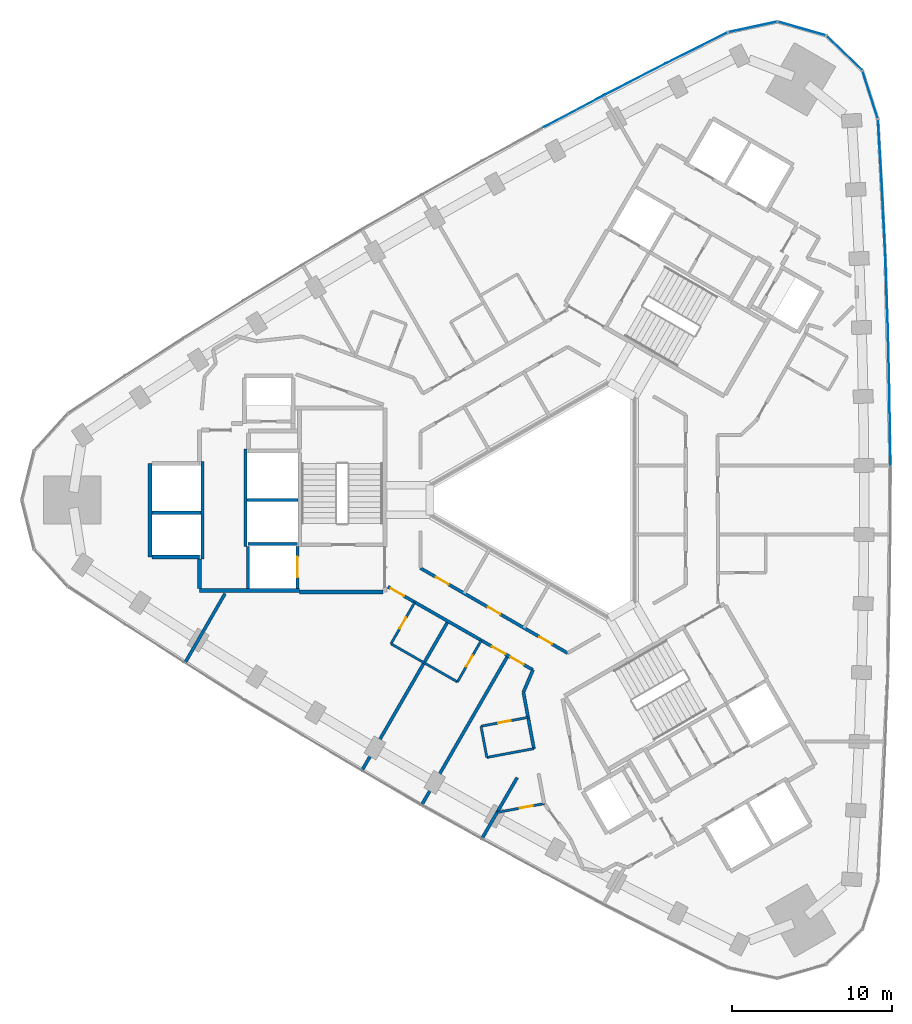
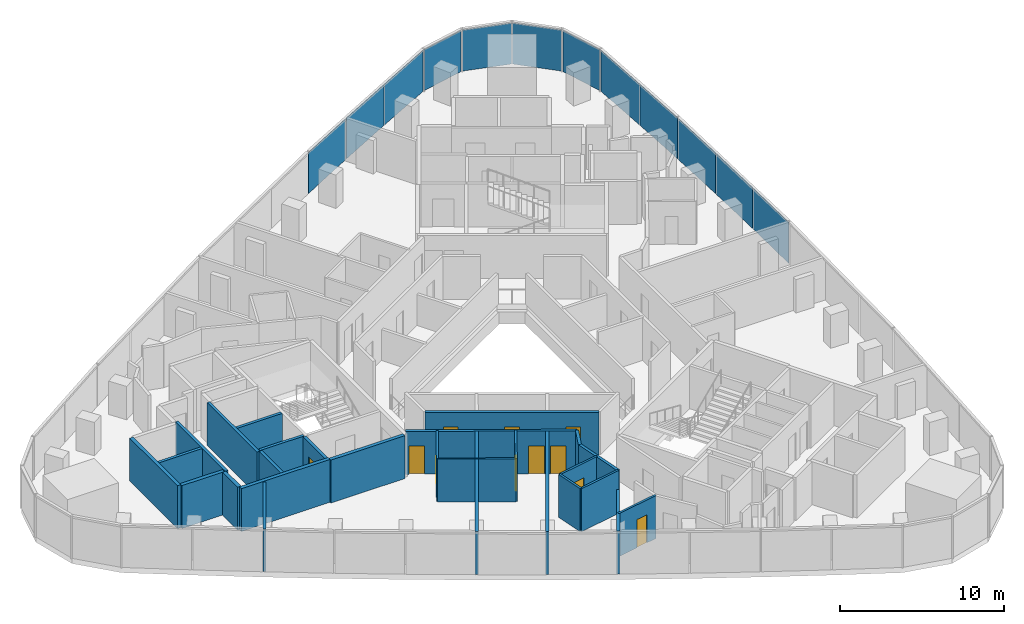
# One storey, part 7 of 13: 27 walls, 12 plates, 11 doors, 11 openings, 2 elements without a shape of their own.
"""IFC4 building model written with IfcOpenShell, lengths in metres."""

import ifcopenshell
import ifcopenshell.guid

model = None  # the IFC model being written
_history = None  # IfcOwnerHistory: only IFC2X3 demands one
_inside = {}  # id of a spatial element -> (the spatial element, [elements in it])
_under = {}  # id of a project, library or spatial element -> (it, [spatial elements below it])
_declared = {}  # id of a project -> (the project, [libraries it declares])
_typed = {}  # id of a type object -> (the type object, [elements of that type])
_made_of = {}  # id of a material, layer set ... -> (it, [elements and type objects made of it])


def new_model(schema):
    """Start an empty IFC model of exactly this schema.

    Asked for "IFC4X3", IfcOpenShell would pick the latest addendum, in which some entities
    have other attributes; the version numbers below select the first issue.
    IFC2X3 requires an IfcOwnerHistory on every rooted entity: one is made here for all.
    """
    global model, _history
    if schema == "IFC4X3":
        model = ifcopenshell.file(schema_version=(4, 3, 0, 0))
    else:
        model = ifcopenshell.file(schema=schema)
    _inside.clear()
    _under.clear()
    _declared.clear()
    _typed.clear()
    _made_of.clear()
    _history = None
    if model.schema == "IFC2X3":
        org = make("IfcOrganization", Name="unknown")
        user = make(
            "IfcPersonAndOrganization",
            ThePerson=make("IfcPerson", FamilyName="unknown"),
            TheOrganization=org,
        )
        app = make(
            "IfcApplication",
            ApplicationDeveloper=org,
            Version="unknown",
            ApplicationFullName="unknown",
            ApplicationIdentifier="unknown",
        )
        _history = make(
            "IfcOwnerHistory",
            OwningUser=user,
            OwningApplication=app,
            ChangeAction="ADDED",
            CreationDate=0,
        )
    return model


def make(cls, **values):
    """One entity of the class cls with the attributes given. An attribute that is None is left unset."""
    return model.create_entity(
        cls, **{name: value for name, value in values.items() if value is not None}
    )


def rooted(cls, **values):
    """An entity with a GlobalId (a new one), such as an element, a storey or a relation."""
    return make(cls, GlobalId=ifcopenshell.guid.new(), OwnerHistory=_history, **values)


def si_unit(unit_type, name, prefix=None):
    """IfcSIUnit, for example si_unit("LENGTHUNIT", "METRE", prefix="MILLI")."""
    return make("IfcSIUnit", UnitType=unit_type, Prefix=prefix, Name=name)


def assignment(units):
    """IfcUnitAssignment: the units of a project."""
    return None if units is None else make("IfcUnitAssignment", Units=units)


def point(xyz):
    """IfcCartesianPoint."""
    return None if xyz is None else make("IfcCartesianPoint", Coordinates=xyz)


def direction(xyz):
    """IfcDirection."""
    return None if xyz is None else make("IfcDirection", DirectionRatios=xyz)


def frame(location, z_axis=None, x_axis=None):
    """IfcAxis2Placement3D, a coordinate frame: its origin and axes. An axis left out is left unset."""
    return make(
        "IfcAxis2Placement3D",
        Location=point(location),
        Axis=direction(z_axis),
        RefDirection=direction(x_axis),
    )


def frame_2d(location, x_axis=None):
    """IfcAxis2Placement2D, a coordinate frame in the plane: its origin and x axis."""
    return make(
        "IfcAxis2Placement2D", Location=point(location), RefDirection=direction(x_axis)
    )


def origin():
    """The frame at (0, 0, 0) with its axes left unset."""
    return frame((0.0, 0.0, 0.0))


def origin_2d():
    """The frame at (0, 0) in the plane with its x axis left unset."""
    return frame_2d((0.0, 0.0))


def place(relative_to, where):
    """IfcLocalPlacement: puts the frame where relative to a parent placement (None: the world)."""
    return make(
        "IfcLocalPlacement", PlacementRelTo=relative_to, RelativePlacement=where
    )


def context(
    kind, dimensions, precision=None, world=None, true_north=None, identifier=None
):
    """IfcGeometricRepresentationContext, for example the 3D "Model" context."""
    return make(
        "IfcGeometricRepresentationContext",
        ContextIdentifier=identifier,
        ContextType=kind,
        CoordinateSpaceDimension=dimensions,
        Precision=precision,
        WorldCoordinateSystem=world,
        TrueNorth=true_north,
    )


def subcontext(parent, identifier, kind, view, scale=None):
    """IfcGeometricRepresentationSubContext, for example "Body" below "Model"."""
    return make(
        "IfcGeometricRepresentationSubContext",
        ContextIdentifier=identifier,
        ContextType=kind,
        ParentContext=parent,
        TargetScale=scale,
        TargetView=view,
    )


def project(units=None, contexts=None):
    """IfcProject with its units and contexts."""
    return rooted(
        "IfcProject",
        Name="project",
        RepresentationContexts=contexts,
        UnitsInContext=assignment(units),
    )


def spatial(cls, under=None, at=None, **own):
    """A site, building, storey or space (cls), placed at a placement, below another one or the project."""
    s = rooted(cls, ObjectPlacement=at, **own)
    if under is not None:
        _under.setdefault(under.id(), (under, []))[1].append(s)
    return s


def profile(cls, at=None, kind="AREA", **sizes):
    """A parametric profile (cls). Its sizes go by their IFC names, for example OverallWidth=200.0."""
    return make(cls, ProfileType=kind, Position=at, **sizes)


def rectangle(**sizes):
    """IfcRectangleProfileDef."""
    return profile("IfcRectangleProfileDef", **sizes)


def extrude(swept, where, along, depth):
    """IfcExtrudedAreaSolid: the profile swept, set in the frame where, extruded along a direction by depth."""
    return make(
        "IfcExtrudedAreaSolid",
        SweptArea=swept,
        Position=where,
        ExtrudedDirection=direction(along),
        Depth=depth,
    )


def shape(context_of_items, identifier, shape_type, items):
    """IfcShapeRepresentation: the items that make up one representation, for example the "Body"."""
    return make(
        "IfcShapeRepresentation",
        ContextOfItems=context_of_items,
        RepresentationIdentifier=identifier,
        RepresentationType=shape_type,
        Items=items,
    )


def material(Name=None, Category=None):
    """IfcMaterial."""
    return make("IfcMaterial", Name=Name, Category=Category)


def layer(
    of_material, thickness, ventilated=None, Name=None, Category=None, Priority=None
):
    """IfcMaterialLayer: one layer of a wall or slab, of a material (None: an air gap)."""
    return make(
        "IfcMaterialLayer",
        Material=of_material,
        LayerThickness=thickness,
        IsVentilated=ventilated,
        Name=Name,
        Category=Category,
        Priority=Priority,
    )


def layer_set(layers, Name=None):
    """IfcMaterialLayerSet."""
    return make("IfcMaterialLayerSet", MaterialLayers=layers, LayerSetName=Name)


def made_of(thing, what):
    """Note that an element or type object is made of a material, layer set ...; save() writes the relation."""
    if what is not None:
        _made_of.setdefault(what.id(), (what, []))[1].append(thing)
    return thing


def type_object(cls, material=None, **own):
    """A type object (cls), such as IfcWallType, which elements share."""
    return made_of(rooted(cls, **own), material)


def element(
    cls,
    number,
    at=None,
    inside=None,
    cuts=None,
    type_object=None,
    material=None,
    context=None,
    identifier="Body",
    shape_type=None,
    held_by="IfcProductDefinitionShape",
    body=None,
    shapes=None,
    **own,
):
    """One element of the class cls, such as IfcWall. Its Tag is "e" and its number.

    at: its placement. inside: the storey or other place that contains it. cuts: it is an
    opening in that element (IfcRelVoidsElement). A single representation is given by context,
    identifier, shape_type and body (its items); several are given by shapes. held_by: the class
    of the entity that holds the representations. save() writes the other relations.
    """
    e = rooted(cls, Tag="e%d" % number, ObjectPlacement=at, **own)
    if body is not None:
        shapes = [shape(context, identifier, shape_type, body)]
    if shapes is not None:
        e.Representation = make(held_by, Representations=shapes)
    if inside is not None:
        _inside.setdefault(inside.id(), (inside, []))[1].append(e)
    if cuts is not None:
        rooted(
            "IfcRelVoidsElement", RelatingBuildingElement=cuts, RelatedOpeningElement=e
        )
    if type_object is not None:
        _typed.setdefault(type_object.id(), (type_object, []))[1].append(e)
    return made_of(e, material)


def fill(opening, filler):
    """IfcRelFillsElement: the door or window that sits in an opening."""
    return rooted(
        "IfcRelFillsElement",
        RelatingOpeningElement=opening,
        RelatedBuildingElement=filler,
    )


def aggregate(whole, parts):
    """IfcRelAggregates: a whole, such as a stair, and the parts it consists of."""
    return rooted("IfcRelAggregates", RelatingObject=whole, RelatedObjects=parts)


def save(model, path):
    """Write the relations noted so far, then the file.

    IfcRelAggregates (storeys below a building ...), IfcRelContainedInSpatialStructure (elements
    in a storey), IfcRelDefinesByType, IfcRelAssociatesMaterial and IfcRelDeclares: one each for
    every whole, place, type object, material and project.
    """
    for whole, parts in _under.values():
        aggregate(whole, parts)
    for where, things in _inside.values():
        rooted(
            "IfcRelContainedInSpatialStructure",
            RelatedElements=things,
            RelatingStructure=where,
        )
    for kind, things in _typed.values():
        rooted("IfcRelDefinesByType", RelatedObjects=things, RelatingType=kind)
    for what, things in _made_of.values():
        rooted("IfcRelAssociatesMaterial", RelatedObjects=things, RelatingMaterial=what)
    for by, libraries in _declared.values():
        rooted("IfcRelDeclares", RelatingContext=by, RelatedDefinitions=libraries)
    model.write(path)


model = new_model("IFC4")

# Units and contexts
model_context = context("Model", 3, precision=1e-05, world=origin(), true_north=direction((0.0, 1.0)))
body_context = subcontext(model_context, "Body", "Model", "MODEL_VIEW")
ifc_project = project(units=[si_unit("LENGTHUNIT", "METRE"), si_unit("AREAUNIT", "SQUARE_METRE"), si_unit("VOLUMEUNIT", "CUBIC_METRE"), si_unit("PLANEANGLEUNIT", "RADIAN"), si_unit("MASSUNIT", "GRAM", prefix="KILO")], contexts=[model_context])

# Site, building, storey
site_placement = place(None, origin())
site = spatial("IfcSite", under=ifc_project, at=site_placement, CompositionType="ELEMENT")
building_placement = place(site_placement, origin())
building = spatial("IfcBuilding", under=site, at=building_placement, Name="Tamra Quay Hotel Tower", CompositionType="ELEMENT")
storey_placement = place(building_placement, frame((0.0, 0.0, 161.199951171875)))
storey = spatial("IfcBuildingStorey", under=building, at=storey_placement, Name="L40", CompositionType="ELEMENT", Elevation=161.199951171875)

# Curtain wall, plates
ifc_material_1 = material(Name="Aluminium 6063 anodised dark grey", Category="aluminium")
curtain_wall_type_1 = type_object("IfcCurtainWallType", Name="CW1 CURTAIN WALL", PredefinedType="NOTDEFINED", material=ifc_material_1)
curtain_wall_1_placement = place(storey_placement, origin())
curtain_wall_1 = element("IfcCurtainWall", 1, at=curtain_wall_1_placement, inside=storey, type_object=curtain_wall_type_1, Name="CW1 east face L40", PredefinedType="NOTDEFINED")
ifc_material_2 = material(Name="Glass clear laminated low-iron", Category="glass")
ifc_layer_1 = layer(ifc_material_2, 0.031982421875)
ifc_layer_set_1 = layer_set([ifc_layer_1], Name="GLASS PANEL CW1 Z3")
plate_type_1 = type_object("IfcPlateType", Name="GLASS PANEL CW1 Z3", PredefinedType="CURTAIN_PANEL", material=ifc_layer_set_1)
plate_1_placement = place(storey_placement, frame((20.793701171875, 4.342041015625, 0.0), z_axis=(0.0, 0.0, 1.0), x_axis=(-0.011957026787, 0.9999285122, 0.0)))
plate_1 = element("IfcPlate", 2, at=plate_1_placement, type_object=plate_type_1, Name="CW1 glass L40.E.7", PredefinedType="CURTAIN_PANEL", context=body_context, shape_type="SweptSolid", body=[
    extrude(rectangle(XDim=4.24169921875, YDim=0.031982421875, at=origin_2d()), origin(), (0.0, 0.0, 1.0), 3.06005859375),
])
plate_2_placement = place(storey_placement, frame((20.716064453125, 8.683349609375, 0.0), z_axis=(0.0, 0.0, 1.0), x_axis=(-0.023896183128, 0.999714445445, 0.0)))
plate_2 = element("IfcPlate", 3, at=plate_2_placement, type_object=plate_type_1, Name="CW1 glass L40.E.8", PredefinedType="CURTAIN_PANEL", context=body_context, shape_type="SweptSolid", body=[
    extrude(rectangle(XDim=4.24267578125, YDim=0.031982421875, at=origin_2d()), origin(), (0.0, 0.0, 1.0), 3.06005859375),
])
plate_3_placement = place(storey_placement, frame((20.586181640625, 13.02392578125, 0.0), z_axis=(0.0, 0.0, 1.0), x_axis=(-0.03584493651, 0.999357363773, 0.0)))
plate_3 = element("IfcPlate", 4, at=plate_3_placement, type_object=plate_type_1, Name="CW1 glass L40.E.9", PredefinedType="CURTAIN_PANEL", context=body_context, shape_type="SweptSolid", body=[
    extrude(rectangle(XDim=4.24267578125, YDim=0.031982421875, at=origin_2d()), origin(), (0.0, 0.0, 1.0), 3.06005859375),
])
plate_4_placement = place(storey_placement, frame((20.40478515625, 17.3623046875, 0.0), z_axis=(0.0, 0.0, 1.0), x_axis=(-0.04774710654, 0.998859456489, 0.0)))
plate_4 = element("IfcPlate", 5, at=plate_4_placement, type_object=plate_type_1, Name="CW1 glass L40.E.10", PredefinedType="CURTAIN_PANEL", context=body_context, shape_type="SweptSolid", body=[
    extrude(rectangle(XDim=4.24169921875, YDim=0.031982421875, at=origin_2d()), origin(), (0.0, 0.0, 1.0), 3.06005859375),
])
plate_5_placement = place(storey_placement, frame((20.171630859375, 21.697998046875, 0.0), z_axis=(0.0, 0.0, 1.0), x_axis=(-0.05964191564, 0.998219836458, 0.0)))
plate_5 = element("IfcPlate", 6, at=plate_5_placement, type_object=plate_type_1, Name="CW1 glass L40.E.11", PredefinedType="CURTAIN_PANEL", context=body_context, shape_type="SweptSolid", body=[
    extrude(rectangle(XDim=4.2421875, YDim=0.031982421875, at=origin_2d()), origin(), (0.0, 0.0, 1.0), 3.06005859375),
])
plate_6_placement = place(storey_placement, frame((19.55712890625, 25.374267578125, 0.0), z_axis=(0.0, 0.0, 1.0), x_axis=(-0.305914777883, 0.952058899792, 0.0)))
plate_6 = element("IfcPlate", 7, at=plate_6_placement, type_object=plate_type_1, Name="CW1 glass L40.E.12", PredefinedType="CURTAIN_PANEL", context=body_context, shape_type="SweptSolid", body=[
    extrude(rectangle(XDim=3.0703125, YDim=0.031982421875, at=origin_2d()), origin(), (0.0, 0.0, 1.0), 3.06005859375),
])
plate_7_placement = place(storey_placement, frame((17.93310546875, 27.98583984375, 0.0), z_axis=(0.0, 0.0, 1.0), x_axis=(-0.718584480635, 0.695439676888, 0.0)))
plate_7 = element("IfcPlate", 8, at=plate_7_placement, type_object=plate_type_1, Name="CW1 glass L40.E.13", PredefinedType="CURTAIN_PANEL", context=body_context, shape_type="SweptSolid", body=[
    extrude(rectangle(XDim=3.0703125, YDim=0.031982421875, at=origin_2d()), origin(), (0.0, 0.0, 1.0), 3.06005859375),
])
plate_8_placement = place(storey_placement, frame((15.269775390625, 29.5234375, 0.0), z_axis=(0.0, 0.0, 1.0), x_axis=(-0.961560667302, 0.274592576551, 0.0)))
plate_8 = element("IfcPlate", 9, at=plate_8_placement, type_object=plate_type_1, Name="CW1 glass L40.E.14", PredefinedType="CURTAIN_PANEL", context=body_context, shape_type="SweptSolid", body=[
    extrude(rectangle(XDim=3.0703125, YDim=0.031982421875, at=origin_2d()), origin(), (0.0, 0.0, 1.0), 3.06005859375),
])
plate_9_placement = place(storey_placement, frame((12.196044921875, 29.624267578125, 0.0), z_axis=(0.0, 0.0, 1.0), x_axis=(-0.97746458206, -0.211099480856, 0.0)))
plate_9 = element("IfcPlate", 10, at=plate_9_placement, type_object=plate_type_1, Name="CW1 glass L40.E.15", PredefinedType="CURTAIN_PANEL", context=body_context, shape_type="SweptSolid", body=[
    extrude(rectangle(XDim=3.0703125, YDim=0.031982421875, at=origin_2d()), origin(), (0.0, 0.0, 1.0), 3.06005859375),
])
aggregate(curtain_wall_1, [plate_1, plate_2, plate_3, plate_4, plate_5, plate_6, plate_7, plate_8, plate_9])

curtain_wall_type_2 = type_object("IfcCurtainWallType", Name="CW2 CURTAIN WALL", PredefinedType="NOTDEFINED", material=ifc_material_1)
curtain_wall_2_placement = place(storey_placement, origin())
curtain_wall_2 = element("IfcCurtainWall", 11, at=curtain_wall_2_placement, inside=storey, type_object=curtain_wall_type_2, Name="CW2 north-west face L40", PredefinedType="NOTDEFINED")
ifc_layer_2 = layer(ifc_material_2, 0.031982421875)
ifc_layer_set_2 = layer_set([ifc_layer_2], Name="GLASS PANEL CW2 Z3")
plate_type_2 = type_object("IfcPlateType", Name="GLASS PANEL CW2 Z3", PredefinedType="CURTAIN_PANEL", material=ifc_layer_set_2)
plate_10_placement = place(storey_placement, frame((8.705078125, 28.318115234375, 0.0), z_axis=(0.0, 0.0, 1.0), x_axis=(-0.894304694754, -0.447458504155, 0.0)))
plate_10 = element("IfcPlate", 12, at=plate_10_placement, type_object=plate_type_2, Name="CW2 glass L40.NW.1", PredefinedType="CURTAIN_PANEL", context=body_context, shape_type="SweptSolid", body=[
    extrude(rectangle(XDim=4.2421875, YDim=0.031982421875, at=origin_2d()), origin(), (0.0, 0.0, 1.0), 3.06005859375),
])
plate_11_placement = place(storey_placement, frame((4.833740234375, 26.352294921875, 0.0), z_axis=(0.0, 0.0, 1.0), x_axis=(-0.8889112174, -0.458079521023, 0.0)))
plate_11 = element("IfcPlate", 13, at=plate_11_placement, type_object=plate_type_2, Name="CW2 glass L40.NW.2", PredefinedType="CURTAIN_PANEL", context=body_context, shape_type="SweptSolid", body=[
    extrude(rectangle(XDim=4.24169921875, YDim=0.031982421875, at=origin_2d()), origin(), (0.0, 0.0, 1.0), 3.06005859375),
])
plate_12_placement = place(storey_placement, frame((0.986083984375, 24.34033203125, 0.0), z_axis=(0.0, 0.0, 1.0), x_axis=(-0.883391332741, -0.468636056272, 0.0)))
plate_12 = element("IfcPlate", 14, at=plate_12_placement, type_object=plate_type_2, Name="CW2 glass L40.NW.3", PredefinedType="CURTAIN_PANEL", context=body_context, shape_type="SweptSolid", body=[
    extrude(rectangle(XDim=4.24267578125, YDim=0.031982421875, at=origin_2d()), origin(), (0.0, 0.0, 1.0), 3.06005859375),
])
aggregate(curtain_wall_2, [plate_10, plate_11, plate_12])

# Walls
ifc_material_3 = material(Name="Concrete M70", Category="concrete")
ifc_layer_3 = layer(ifc_material_3, 0.199951171875)
ifc_layer_set_3 = layer_set([ifc_layer_3], Name="Concrete M70 core wall 200")
wall_type_1 = type_object("IfcWallType", Name="Concrete M70 core wall 200", PredefinedType="SHEAR", material=ifc_layer_set_3)
for number, where, z_axis, x_axis, name in (
    (15, (-19.5625, -2.900146484375, 0.0), (0.0, 0.0, 1.0), (0.0, 1.0, 0.0), "CW2"),
    (16, (-22.26220703125, 2.400146484375, 0.0), (0.0, 0.0, 1.0), (0.0, -1.0, 0.0), "CW2"),
):
    element("IfcWall", number, at=place(storey_placement, frame(where, z_axis=z_axis, x_axis=x_axis)), inside=storey, type_object=wall_type_1, Name=name, PredefinedType="SHEAR", context=body_context, shape_type="SweptSolid", body=[
        extrude(rectangle(XDim=6.100341796875, YDim=0.199951171875, at=frame_2d((3.05029296875, 0.0))), origin(), (0.0, 0.0, 1.0), 3.199951171875),
    ])
wall_1_placement = place(storey_placement, frame((-16.26318359375, 0.0, 0.0), z_axis=(0.0, 0.0, 1.0), x_axis=(-1.0, 0.0, 0.0)))
element("IfcWall", 17, at=wall_1_placement, inside=storey, type_object=wall_type_1, Name="CW2", PredefinedType="SHEAR", context=body_context, shape_type="SweptSolid", body=[
    extrude(rectangle(XDim=3.1982421875, YDim=0.199951171875, at=frame_2d((1.59912109375, 0.0))), origin(), (0.0, 0.0, 1.0), 3.199951171875),
])
wall_2_placement = place(storey_placement, frame((-22.36328125, -0.800048828125, 0.0), z_axis=(0.0, 0.0, 1.0), x_axis=(-1.0, 0.0, 0.0)))
element("IfcWall", 18, at=wall_2_placement, inside=storey, type_object=wall_type_1, Name="CW2", PredefinedType="SHEAR", context=body_context, shape_type="SweptSolid", body=[
    extrude(rectangle(XDim=3.048095703125, YDim=0.199951171875, at=frame_2d((1.52392578125, 0.0))), origin(), (0.0, 0.0, 1.0), 3.199951171875),
])
wall_3_placement = place(storey_placement, frame((-19.412353515625, -2.75, 0.0), z_axis=(0.0, 0.0, 1.0), x_axis=(1.0, 0.0, 0.0)))
element("IfcWall", 19, at=wall_3_placement, inside=storey, type_object=wall_type_1, Name="CW2", PredefinedType="SHEAR", context=body_context, shape_type="SweptSolid", body=[
    extrude(rectangle(XDim=3.10009765625, YDim=0.199951171875, at=frame_2d((1.550048828125, 0.0))), origin(), (0.0, 0.0, 1.0), 3.199951171875),
])

# Wall, opening, door
wall_4_placement = place(storey_placement, frame((-16.312255859375, -2.898193359375, 0.0), z_axis=(0.0, 0.0, 1.0), x_axis=(0.0, -1.0, 0.0)))
wall_4 = element("IfcWall", 20, at=wall_4_placement, inside=storey, type_object=wall_type_1, Name="CW2", PredefinedType="SHEAR", context=body_context, shape_type="SweptSolid", body=[
    extrude(rectangle(XDim=2.65087890625, YDim=0.199951171875, at=frame_2d((1.325439453125, 0.0))), origin(), (0.0, 0.0, 1.0), 3.199951171875),
])
opening_1_placement = place(wall_4_placement, frame((0.65185546875, 0.0, 0.0)))
opening_1 = element("IfcOpeningElement", 21, at=opening_1_placement, cuts=wall_4, Name="Opening LD", PredefinedType="OPENING", context=body_context, shape_type="SweptSolid", body=[
    extrude(rectangle(XDim=1.300048828125, YDim=2.10009765625, at=frame_2d((0.64990234375, 1.050048828125))), frame((0.0, 0.10986328125, 0.0), z_axis=(0.0, -1.0, 0.0), x_axis=(1.0, 0.0, 0.0)), (0.0, 0.0, 1.0), 0.219970703125),
])
ifc_material_4 = material(Name="Landing door LD 1300 sliding to left")
door_type_1 = type_object("IfcDoorType", Name="Landing door LD 1300 sliding to left", OperationType="NOTDEFINED", PredefinedType="DOOR", material=ifc_material_4)
door_1_placement = place(opening_1_placement, origin())
door_1 = element("IfcDoor", 22, at=door_1_placement, inside=storey, type_object=door_type_1, Name="LD", OperationType="SLIDING_TO_LEFT", OverallHeight=2.10009765625, OverallWidth=1.300048828125, PredefinedType="DOOR", context=body_context, shape_type="SweptSolid", body=[
    extrude(rectangle(XDim=1.300048828125, YDim=2.10009765625, at=frame_2d((0.64990234375, 1.050048828125))), frame((0.0, 0.02490234375, 0.0), z_axis=(0.0, -1.0, 0.0), x_axis=(1.0, 0.0, 0.0)), (0.0, 0.0, 1.0), 0.050048828125),
])
fill(opening_1, door_1)

# Walls
wall_5_placement = place(storey_placement, frame((-19.412353515625, -5.549072265625, 0.0), z_axis=(0.0, 0.0, 1.0), x_axis=(0.0, 1.0, 0.0)))
element("IfcWall", 23, at=wall_5_placement, inside=storey, type_object=wall_type_1, Name="CW2", PredefinedType="SHEAR", context=body_context, shape_type="SweptSolid", body=[
    extrude(rectangle(XDim=2.65087890625, YDim=0.199951171875, at=frame_2d((1.325439453125, 0.0))), origin(), (0.0, 0.0, 1.0), 3.199951171875),
])
ifc_layer_4 = layer(ifc_material_3, 0.25)
ifc_layer_set_4 = layer_set([ifc_layer_4], Name="Concrete M70 core wall 250")
wall_type_2 = type_object("IfcWallType", Name="Concrete M70 core wall 250", PredefinedType="SHEAR", material=ifc_layer_set_4)
wall_6_placement = place(storey_placement, frame((-16.187255859375, -5.675048828125, 0.0), z_axis=(0.0, 0.0, 1.0), x_axis=(-1.0, 0.0, 0.0)))
element("IfcWall", 24, at=wall_6_placement, inside=storey, type_object=wall_type_2, Name="CW1", PredefinedType="SHEAR", context=body_context, shape_type="SweptSolid", body=[
    extrude(rectangle(XDim=6.25, YDim=0.25, at=frame_2d((3.125, 0.0))), origin(), (0.0, 0.0, 1.0), 3.199951171875),
])
wall_7_placement = place(storey_placement, frame((-25.537353515625, -3.574951171875, 0.0), z_axis=(0.0, 0.0, 1.0), x_axis=(0.0, 1.0, 0.0)))
element("IfcWall", 25, at=wall_7_placement, inside=storey, type_object=wall_type_2, Name="CW1", PredefinedType="SHEAR", context=body_context, shape_type="SweptSolid", body=[
    extrude(rectangle(XDim=5.849853515625, YDim=0.25, at=frame_2d((2.9248046875, 0.0))), origin(), (0.0, 0.0, 1.0), 3.199951171875),
])
wall_8_placement = place(storey_placement, frame((-10.962646484375, -5.77490234375, 0.0), z_axis=(0.0, 0.0, 1.0), x_axis=(-1.0, 0.0, 0.0)))
element("IfcWall", 26, at=wall_8_placement, inside=storey, type_object=wall_type_2, Name="CW1", PredefinedType="SHEAR", context=body_context, shape_type="SweptSolid", body=[
    extrude(rectangle(XDim=5.224609375, YDim=0.25, at=frame_2d((2.6123046875, 0.0))), origin(), (0.0, 0.0, 1.0), 3.199951171875),
])
wall_9_placement = place(storey_placement, frame((-22.437255859375, -3.574951171875, 0.0), z_axis=(0.0, 0.0, 1.0), x_axis=(-1.0, 0.0, 0.0)))
element("IfcWall", 27, at=wall_9_placement, inside=storey, type_object=wall_type_2, Name="CW1", PredefinedType="SHEAR", context=body_context, shape_type="SweptSolid", body=[
    extrude(rectangle(XDim=2.974609375, YDim=0.25, at=frame_2d((1.4873046875, 0.0))), origin(), (0.0, 0.0, 1.0), 3.199951171875),
])
wall_10_placement = place(storey_placement, frame((-22.437255859375, -5.549560546875, 0.0), z_axis=(0.0, 0.0, 1.0), x_axis=(0.0, 1.0, 0.0)))
element("IfcWall", 28, at=wall_10_placement, inside=storey, type_object=wall_type_2, Name="CW1", PredefinedType="SHEAR", context=body_context, shape_type="SweptSolid", body=[
    extrude(rectangle(XDim=1.84912109375, YDim=0.25, at=frame_2d((0.924560546875, 0.0))), origin(), (0.0, 0.0, 1.0), 3.199951171875),
])

# Wall, openings, doors
ifc_material_5 = material(Name="Partition corridor wall")
ifc_layer_5 = layer(ifc_material_5, 0.199951171875)
ifc_layer_set_5 = layer_set([ifc_layer_5], Name="Partition corridor wall")
wall_type_3 = type_object("IfcWallType", Name="Partition corridor wall", PredefinedType="PARTITIONING", material=ifc_layer_set_5)
wall_11_placement = place(storey_placement, frame((-10.64208984375, -5.43994140625, 0.0), z_axis=(0.0, 0.0, 1.0), x_axis=(0.867610688994, -0.497244097344, 0.0)))
wall_11 = element("IfcWall", 29, at=wall_11_placement, inside=storey, type_object=wall_type_3, Name="W-C", PredefinedType="PARTITIONING", context=body_context, shape_type="SweptSolid", body=[
    extrude(rectangle(XDim=10.4638671875, YDim=0.199951171875, at=frame_2d((5.23193359375, 0.0))), origin(), (0.0, 0.0, 1.0), 3.199951171875),
])
opening_2_placement = place(wall_11_placement, frame((0.199951171875, 0.0, 0.0)))
opening_2 = element("IfcOpeningElement", 30, at=opening_2_placement, cuts=wall_11, Name="Opening L40-D014", PredefinedType="OPENING", context=body_context, shape_type="SweptSolid", body=[
    extrude(rectangle(XDim=0.949951171875, YDim=2.10009765625, at=frame_2d((0.47509765625, 1.050048828125))), frame((0.0, 0.10986328125, 0.0), z_axis=(0.0, -1.0, 0.0), x_axis=(1.0, 0.0, 0.0)), (0.0, 0.0, 1.0), 0.219970703125),
])
opening_3_placement = place(wall_11_placement, frame((7.519287109375, 0.0, 0.0)))
opening_3 = element("IfcOpeningElement", 31, at=opening_3_placement, cuts=wall_11, Name="Opening L40-D016", PredefinedType="OPENING", context=body_context, shape_type="SweptSolid", body=[
    extrude(rectangle(XDim=0.949951171875, YDim=2.10009765625, at=frame_2d((0.47509765625, 1.050048828125))), frame((0.0, 0.10986328125, 0.0), z_axis=(0.0, -1.0, 0.0), x_axis=(1.0, 0.0, 0.0)), (0.0, 0.0, 1.0), 0.219970703125),
])
opening_4_placement = place(wall_11_placement, frame((8.84619140625, 0.0, 0.0)))
opening_4 = element("IfcOpeningElement", 32, at=opening_4_placement, cuts=wall_11, Name="Opening L40-D018", PredefinedType="OPENING", context=body_context, shape_type="SweptSolid", body=[
    extrude(rectangle(XDim=0.949951171875, YDim=2.10009765625, at=frame_2d((0.47509765625, 1.050048828125))), frame((0.0, 0.10986328125, 0.0), z_axis=(0.0, -1.0, 0.0), x_axis=(1.0, 0.0, 0.0)), (0.0, 0.0, 1.0), 0.219970703125),
])
ifc_material_6 = material(Name="Door guest room 950x2100")
door_type_2 = type_object("IfcDoorType", Name="Door guest room 950x2100", OperationType="NOTDEFINED", PredefinedType="DOOR", material=ifc_material_6)
door_2_placement = place(opening_2_placement, frame((0.949951171875, 0.0, 0.0), z_axis=(0.0, 0.0, 1.0), x_axis=(-1.0, 0.0, 0.0)))
door_2 = element("IfcDoor", 33, at=door_2_placement, inside=storey, type_object=door_type_2, Name="L40-D014", OperationType="SINGLE_SWING_LEFT", OverallHeight=2.10009765625, OverallWidth=0.949951171875, PredefinedType="DOOR", context=body_context, shape_type="SweptSolid", body=[
    extrude(rectangle(XDim=0.949951171875, YDim=2.10009765625, at=frame_2d((0.47509765625, 1.050048828125))), frame((0.0, 0.02490234375, 0.0), z_axis=(0.0, -1.0, 0.0), x_axis=(1.0, 0.0, 0.0)), (0.0, 0.0, 1.0), 0.050048828125),
])
fill(opening_2, door_2)
door_3_placement = place(opening_3_placement, frame((0.949951171875, 0.0, 0.0), z_axis=(0.0, 0.0, 1.0), x_axis=(-1.0, 0.0, 0.0)))
door_3 = element("IfcDoor", 34, at=door_3_placement, inside=storey, type_object=door_type_2, Name="L40-D016", OperationType="SINGLE_SWING_LEFT", OverallHeight=2.10009765625, OverallWidth=0.949951171875, PredefinedType="DOOR", context=body_context, shape_type="SweptSolid", body=[
    extrude(rectangle(XDim=0.949951171875, YDim=2.10009765625, at=frame_2d((0.47509765625, 1.050048828125))), frame((0.0, 0.02490234375, 0.0), z_axis=(0.0, -1.0, 0.0), x_axis=(1.0, 0.0, 0.0)), (0.0, 0.0, 1.0), 0.050048828125),
])
fill(opening_3, door_3)
door_4_placement = place(opening_4_placement, frame((0.949951171875, 0.0, 0.0), z_axis=(0.0, 0.0, 1.0), x_axis=(-1.0, 0.0, 0.0)))
door_4 = element("IfcDoor", 35, at=door_4_placement, inside=storey, type_object=door_type_2, Name="L40-D018", OperationType="SINGLE_SWING_LEFT", OverallHeight=2.10009765625, OverallWidth=0.949951171875, PredefinedType="DOOR", context=body_context, shape_type="SweptSolid", body=[
    extrude(rectangle(XDim=0.949951171875, YDim=2.10009765625, at=frame_2d((0.47509765625, 1.050048828125))), frame((0.0, 0.02490234375, 0.0), z_axis=(0.0, -1.0, 0.0), x_axis=(1.0, 0.0, 0.0)), (0.0, 0.0, 1.0), 0.050048828125),
])
fill(opening_4, door_4)

wall_12_placement = place(storey_placement, frame((-8.612060546875, -4.264892578125, 0.0), z_axis=(0.0, 0.0, 1.0), x_axis=(0.865984415152, -0.500070987675, 0.0)))
wall_12 = element("IfcWall", 36, at=wall_12_placement, inside=storey, type_object=wall_type_3, Name="W-C", PredefinedType="PARTITIONING", context=body_context, shape_type="SweptSolid", body=[
    extrude(rectangle(XDim=10.6513671875, YDim=0.199951171875, at=frame_2d((5.32568359375, 0.0))), origin(), (0.0, 0.0, 1.0), 3.199951171875),
])
opening_5_placement = place(wall_12_placement, frame((1.1376953125, 0.0, 0.0)))
opening_5 = element("IfcOpeningElement", 37, at=opening_5_placement, cuts=wall_12, Name="Opening L40-D030", PredefinedType="OPENING", context=body_context, shape_type="SweptSolid", body=[
    extrude(rectangle(XDim=0.89990234375, YDim=2.10009765625, at=frame_2d((0.449951171875, 1.050048828125))), frame((0.0, 0.10986328125, 0.0), z_axis=(0.0, -1.0, 0.0), x_axis=(1.0, 0.0, 0.0)), (0.0, 0.0, 1.0), 0.219970703125),
])
opening_6_placement = place(wall_12_placement, frame((4.8759765625, 0.0, 0.0)))
opening_6 = element("IfcOpeningElement", 38, at=opening_6_placement, cuts=wall_12, Name="Opening L40-D031", PredefinedType="OPENING", context=body_context, shape_type="SweptSolid", body=[
    extrude(rectangle(XDim=0.89990234375, YDim=2.10009765625, at=frame_2d((0.449951171875, 1.050048828125))), frame((0.0, 0.10986328125, 0.0), z_axis=(0.0, -1.0, 0.0), x_axis=(1.0, 0.0, 0.0)), (0.0, 0.0, 1.0), 0.219970703125),
])
opening_7_placement = place(wall_12_placement, frame((8.61328125, 0.0, 0.0)))
opening_7 = element("IfcOpeningElement", 39, at=opening_7_placement, cuts=wall_12, Name="Opening L40-D032", PredefinedType="OPENING", context=body_context, shape_type="SweptSolid", body=[
    extrude(rectangle(XDim=0.89990234375, YDim=2.10009765625, at=frame_2d((0.449951171875, 1.050048828125))), frame((0.0, 0.10986328125, 0.0), z_axis=(0.0, -1.0, 0.0), x_axis=(1.0, 0.0, 0.0)), (0.0, 0.0, 1.0), 0.219970703125),
])
ifc_material_7 = material(Name="Door service room 900x2100")
door_type_3 = type_object("IfcDoorType", Name="Door service room 900x2100", OperationType="NOTDEFINED", PredefinedType="DOOR", material=ifc_material_7)
door_5_placement = place(opening_5_placement, origin())
door_5 = element("IfcDoor", 40, at=door_5_placement, inside=storey, type_object=door_type_3, Name="L40-D030", OperationType="SINGLE_SWING_LEFT", OverallHeight=2.10009765625, OverallWidth=0.89990234375, PredefinedType="DOOR", context=body_context, shape_type="SweptSolid", body=[
    extrude(rectangle(XDim=0.89990234375, YDim=2.10009765625, at=frame_2d((0.449951171875, 1.050048828125))), frame((0.0, 0.02490234375, 0.0), z_axis=(0.0, -1.0, 0.0), x_axis=(1.0, 0.0, 0.0)), (0.0, 0.0, 1.0), 0.050048828125),
])
fill(opening_5, door_5)
door_6_placement = place(opening_6_placement, origin())
door_6 = element("IfcDoor", 41, at=door_6_placement, inside=storey, type_object=door_type_3, Name="L40-D031", OperationType="SINGLE_SWING_LEFT", OverallHeight=2.10009765625, OverallWidth=0.89990234375, PredefinedType="DOOR", context=body_context, shape_type="SweptSolid", body=[
    extrude(rectangle(XDim=0.89990234375, YDim=2.10009765625, at=frame_2d((0.449951171875, 1.050048828125))), frame((0.0, 0.02490234375, 0.0), z_axis=(0.0, -1.0, 0.0), x_axis=(1.0, 0.0, 0.0)), (0.0, 0.0, 1.0), 0.050048828125),
])
fill(opening_6, door_6)
door_7_placement = place(opening_7_placement, origin())
door_7 = element("IfcDoor", 42, at=door_7_placement, inside=storey, type_object=door_type_3, Name="L40-D032", OperationType="SINGLE_SWING_LEFT", OverallHeight=2.10009765625, OverallWidth=0.89990234375, PredefinedType="DOOR", context=body_context, shape_type="SweptSolid", body=[
    extrude(rectangle(XDim=0.89990234375, YDim=2.10009765625, at=frame_2d((0.449951171875, 1.050048828125))), frame((0.0, 0.02490234375, 0.0), z_axis=(0.0, -1.0, 0.0), x_axis=(1.0, 0.0, 0.0)), (0.0, 0.0, 1.0), 0.050048828125),
])
fill(opening_7, door_7)

# Walls
wall_13_placement = place(storey_placement, frame((-2.162109375, -12.0419921875, 0.0), z_axis=(0.0, 0.0, 1.0), x_axis=(0.183572226488, -0.983006224631, 0.0)))
element("IfcWall", 43, at=wall_13_placement, inside=storey, type_object=wall_type_3, Name="W-C", PredefinedType="PARTITIONING", context=body_context, shape_type="SweptSolid", body=[
    extrude(rectangle(XDim=3.6015625, YDim=0.199951171875, at=frame_2d((1.80078125, 0.0))), origin(), (0.0, 0.0, 1.0), 3.199951171875),
])
wall_14_placement = place(storey_placement, frame((-2.162109375, -12.041015625, 0.0), z_axis=(0.0, 0.0, 1.0), x_axis=(0.393609042413, 0.919277934974, 0.0)))
element("IfcWall", 44, at=wall_14_placement, inside=storey, type_object=wall_type_3, Name="W-C", PredefinedType="PARTITIONING", context=body_context, shape_type="SweptSolid", body=[
    extrude(rectangle(XDim=1.51953125, YDim=0.199951171875, at=frame_2d((0.759765625, 0.0))), origin(), (0.0, 0.0, 1.0), 3.199951171875),
])

# Wall, opening, door
ifc_material_8 = material(Name="Partition en-suite wall")
ifc_layer_6 = layer(ifc_material_8, 0.14990234375)
ifc_layer_set_6 = layer_set([ifc_layer_6], Name="Partition en-suite wall")
wall_type_4 = type_object("IfcWallType", Name="Partition en-suite wall", PredefinedType="PARTITIONING", material=ifc_layer_set_6)
wall_15_placement = place(storey_placement, frame((-10.4541015625, -9.0029296875, 0.0), z_axis=(0.0, 0.0, 1.0), x_axis=(0.49740127306, 0.867520589703, 0.0)))
wall_15 = element("IfcWall", 45, at=wall_15_placement, inside=storey, type_object=wall_type_4, Name="W-E", PredefinedType="PARTITIONING", context=body_context, shape_type="SweptSolid", body=[
    extrude(rectangle(XDim=2.998046875, YDim=0.14990234375, at=frame_2d((1.4990234375, 0.0))), origin(), (0.0, 0.0, 1.0), 3.199951171875),
])
opening_8_placement = place(wall_15_placement, frame((1.097900390625, 0.0, 0.0)))
opening_8 = element("IfcOpeningElement", 46, at=opening_8_placement, cuts=wall_15, Name="Opening L40-D015", PredefinedType="OPENING", context=body_context, shape_type="SweptSolid", body=[
    extrude(rectangle(XDim=0.800048828125, YDim=2.10009765625, at=frame_2d((0.39990234375, 1.050048828125))), frame((0.0, 0.0849609375, 0.0), z_axis=(0.0, -1.0, 0.0), x_axis=(1.0, 0.0, 0.0)), (0.0, 0.0, 1.0), 0.169921875),
])
ifc_material_9 = material(Name="Door en-suite 800x2100")
door_type_4 = type_object("IfcDoorType", Name="Door en-suite 800x2100", OperationType="NOTDEFINED", PredefinedType="DOOR", material=ifc_material_9)
door_8_placement = place(opening_8_placement, origin())
door_8 = element("IfcDoor", 47, at=door_8_placement, inside=storey, type_object=door_type_4, Name="L40-D015", OperationType="SINGLE_SWING_LEFT", OverallHeight=2.10009765625, OverallWidth=0.800048828125, PredefinedType="DOOR", context=body_context, shape_type="SweptSolid", body=[
    extrude(rectangle(XDim=0.800048828125, YDim=2.10009765625, at=frame_2d((0.39990234375, 1.050048828125))), frame((0.0, 0.02490234375, 0.0), z_axis=(0.0, -1.0, 0.0), x_axis=(1.0, 0.0, 0.0)), (0.0, 0.0, 1.0), 0.050048828125),
])
fill(opening_8, door_8)

# Wall
wall_16_placement = place(storey_placement, frame((-10.452880859375, -9.006103515625, 0.0), z_axis=(0.0, 0.0, 1.0), x_axis=(0.86760039778, -0.49726205342, 0.0)))
element("IfcWall", 48, at=wall_16_placement, inside=storey, type_object=wall_type_4, Name="W-E", PredefinedType="PARTITIONING", context=body_context, shape_type="SweptSolid", body=[
    extrude(rectangle(XDim=4.79736328125, YDim=0.14990234375, at=frame_2d((2.398681640625, 0.0))), origin(), (0.0, 0.0, 1.0), 3.199951171875),
])

# Wall, opening, door
wall_17_placement = place(storey_placement, frame((-6.291015625, -11.39208984375, 0.0), z_axis=(0.0, 0.0, 1.0), x_axis=(0.497409432693, 0.867515911248, 0.0)))
wall_17 = element("IfcWall", 49, at=wall_17_placement, inside=storey, type_object=wall_type_4, Name="W-E", PredefinedType="PARTITIONING", context=body_context, shape_type="SweptSolid", body=[
    extrude(rectangle(XDim=2.99951171875, YDim=0.14990234375, at=frame_2d((1.499755859375, 0.0))), origin(), (0.0, 0.0, 1.0), 3.199951171875),
])
opening_9_placement = place(wall_17_placement, frame((1.099609375, 0.0, 0.0)))
opening_9 = element("IfcOpeningElement", 50, at=opening_9_placement, cuts=wall_17, Name="Opening L40-D017", PredefinedType="OPENING", context=body_context, shape_type="SweptSolid", body=[
    extrude(rectangle(XDim=0.800048828125, YDim=2.10009765625, at=frame_2d((0.39990234375, 1.050048828125))), frame((0.0, 0.0849609375, 0.0), z_axis=(0.0, -1.0, 0.0), x_axis=(1.0, 0.0, 0.0)), (0.0, 0.0, 1.0), 0.169921875),
])
door_9_placement = place(opening_9_placement, origin())
door_9 = element("IfcDoor", 51, at=door_9_placement, inside=storey, type_object=door_type_4, Name="L40-D017", OperationType="SINGLE_SWING_LEFT", OverallHeight=2.10009765625, OverallWidth=0.800048828125, PredefinedType="DOOR", context=body_context, shape_type="SweptSolid", body=[
    extrude(rectangle(XDim=0.800048828125, YDim=2.10009765625, at=frame_2d((0.39990234375, 1.050048828125))), frame((0.0, 0.02490234375, 0.0), z_axis=(0.0, -1.0, 0.0), x_axis=(1.0, 0.0, 0.0)), (0.0, 0.0, 1.0), 0.050048828125),
])
fill(opening_9, door_9)

# Wall
wall_18_placement = place(storey_placement, frame((-4.81689453125, -14.166015625, 0.0), z_axis=(0.0, 0.0, 1.0), x_axis=(0.183903339385, -0.982944332993, 0.0)))
element("IfcWall", 52, at=wall_18_placement, inside=storey, type_object=wall_type_4, Name="W-E", PredefinedType="PARTITIONING", context=body_context, shape_type="SweptSolid", body=[
    extrude(rectangle(XDim=1.989990234375, YDim=0.14990234375, at=frame_2d((0.9951171875, 0.0))), origin(), (0.0, 0.0, 1.0), 3.199951171875),
])

# Wall, opening, door
wall_19_placement = place(storey_placement, frame((-4.81689453125, -14.166015625, 0.0), z_axis=(0.0, 0.0, 1.0), x_axis=(0.982987155193, 0.183674311555, 0.0)))
wall_19 = element("IfcWall", 53, at=wall_19_placement, inside=storey, type_object=wall_type_4, Name="W-E", PredefinedType="PARTITIONING", context=body_context, shape_type="SweptSolid", body=[
    extrude(rectangle(XDim=3.0, YDim=0.14990234375, at=frame_2d((1.5, 0.0))), origin(), (0.0, 0.0, 1.0), 3.199951171875),
])
opening_10_placement = place(wall_19_placement, frame((1.100341796875, 0.0, 0.0)))
opening_10 = element("IfcOpeningElement", 54, at=opening_10_placement, cuts=wall_19, Name="Opening L40-D019", PredefinedType="OPENING", context=body_context, shape_type="SweptSolid", body=[
    extrude(rectangle(XDim=0.800048828125, YDim=2.10009765625, at=frame_2d((0.39990234375, 1.050048828125))), frame((0.0, 0.0849609375, 0.0), z_axis=(0.0, -1.0, 0.0), x_axis=(1.0, 0.0, 0.0)), (0.0, 0.0, 1.0), 0.169921875),
])
door_10_placement = place(opening_10_placement, frame((0.800048828125, 0.0, 0.0), z_axis=(0.0, 0.0, 1.0), x_axis=(-1.0, 0.0, 0.0)))
door_10 = element("IfcDoor", 55, at=door_10_placement, inside=storey, type_object=door_type_4, Name="L40-D019", OperationType="SINGLE_SWING_LEFT", OverallHeight=2.10009765625, OverallWidth=0.800048828125, PredefinedType="DOOR", context=body_context, shape_type="SweptSolid", body=[
    extrude(rectangle(XDim=0.800048828125, YDim=2.10009765625, at=frame_2d((0.39990234375, 1.050048828125))), frame((0.0, 0.02490234375, 0.0), z_axis=(0.0, -1.0, 0.0), x_axis=(1.0, 0.0, 0.0)), (0.0, 0.0, 1.0), 0.050048828125),
])
fill(opening_10, door_10)

# Wall
wall_20_placement = place(storey_placement, frame((-4.450927734375, -16.1220703125, 0.0), z_axis=(0.0, 0.0, 1.0), x_axis=(0.982928336035, 0.18398882091, 0.0)))
element("IfcWall", 56, at=wall_20_placement, inside=storey, type_object=wall_type_4, Name="W-E", PredefinedType="PARTITIONING", context=body_context, shape_type="SweptSolid", body=[
    extrude(rectangle(XDim=3.000244140625, YDim=0.14990234375, at=frame_2d((1.5, 0.0))), origin(), (0.0, 0.0, 1.0), 3.199951171875),
])

# Wall, opening, door
wall_21_placement = place(storey_placement, frame((-3.806884765625, -19.56591796875, 0.0), z_axis=(0.0, 0.0, 1.0), x_axis=(0.982987155193, 0.183674311555, 0.0)))
wall_21 = element("IfcWall", 57, at=wall_21_placement, inside=storey, type_object=wall_type_4, Name="W-E", PredefinedType="PARTITIONING", context=body_context, shape_type="SweptSolid", body=[
    extrude(rectangle(XDim=3.0, YDim=0.14990234375, at=frame_2d((1.5, 0.0))), origin(), (0.0, 0.0, 1.0), 3.199951171875),
])
opening_11_placement = place(wall_21_placement, frame((1.4599609375, 0.0, 0.0)))
opening_11 = element("IfcOpeningElement", 58, at=opening_11_placement, cuts=wall_21, Name="Opening L40-D022", PredefinedType="OPENING", context=body_context, shape_type="SweptSolid", body=[
    extrude(rectangle(XDim=0.800048828125, YDim=2.10009765625, at=frame_2d((0.39990234375, 1.050048828125))), frame((0.0, 0.0849609375, 0.0), z_axis=(0.0, -1.0, 0.0), x_axis=(1.0, 0.0, 0.0)), (0.0, 0.0, 1.0), 0.169921875),
])
door_11_placement = place(opening_11_placement, frame((0.800048828125, 0.0, 0.0), z_axis=(0.0, 0.0, 1.0), x_axis=(-1.0, 0.0, 0.0)))
door_11 = element("IfcDoor", 59, at=door_11_placement, inside=storey, type_object=door_type_4, Name="L40-D022", OperationType="SINGLE_SWING_LEFT", OverallHeight=2.10009765625, OverallWidth=0.800048828125, PredefinedType="DOOR", context=body_context, shape_type="SweptSolid", body=[
    extrude(rectangle(XDim=0.800048828125, YDim=2.10009765625, at=frame_2d((0.39990234375, 1.050048828125))), frame((0.0, 0.02490234375, 0.0), z_axis=(0.0, -1.0, 0.0), x_axis=(1.0, 0.0, 0.0)), (0.0, 0.0, 1.0), 0.050048828125),
])
fill(opening_11, door_11)

# Walls
ifc_material_10 = material(Name="Partition party wall")
ifc_layer_7 = layer(ifc_material_10, 0.199951171875)
ifc_layer_set_7 = layer_set([ifc_layer_7], Name="Partition party wall")
wall_type_5 = type_object("IfcWallType", Name="Partition party wall", PredefinedType="PARTITIONING", material=ifc_layer_set_7)
wall_22_placement = place(storey_placement, frame((-23.3505859375, -10.19677734375, 0.0), z_axis=(0.0, 0.0, 1.0), x_axis=(0.499872996861, 0.866098716665, 0.0)))
element("IfcWall", 60, at=wall_22_placement, inside=storey, type_object=wall_type_5, Name="W-P", PredefinedType="PARTITIONING", context=body_context, shape_type="SweptSolid", body=[
    extrude(rectangle(XDim=5.007080078125, YDim=0.199951171875, at=frame_2d((2.50341796875, 0.0))), origin(), (0.0, 0.0, 1.0), 3.199951171875),
])
wall_23_placement = place(storey_placement, frame((-12.278076171875, -16.946044921875, 0.0), z_axis=(0.0, 0.0, 1.0), x_axis=(0.499882324153, 0.866093333307, 0.0)))
element("IfcWall", 61, at=wall_23_placement, inside=storey, type_object=wall_type_5, Name="W-P", PredefinedType="PARTITIONING", context=body_context, shape_type="SweptSolid", body=[
    extrude(rectangle(XDim=10.7958984375, YDim=0.199951171875, at=frame_2d((5.39794921875, 0.0))), origin(), (0.0, 0.0, 1.0), 3.199951171875),
])
wall_24_placement = place(storey_placement, frame((-8.535400390625, -19.10693359375, 0.0), z_axis=(0.0, 0.0, 1.0), x_axis=(0.499987057201, 0.866032876184, 0.0)))
element("IfcWall", 62, at=wall_24_placement, inside=storey, type_object=wall_type_5, Name="W-P", PredefinedType="PARTITIONING", context=body_context, shape_type="SweptSolid", body=[
    extrude(rectangle(XDim=10.808837890625, YDim=0.199951171875, at=frame_2d((5.404296875, 0.0))), origin(), (0.0, 0.0, 1.0), 3.199951171875),
])
wall_25_placement = place(storey_placement, frame((-4.7666015625, -21.22314453125, 0.0), z_axis=(0.0, 0.0, 1.0), x_axis=(0.49992092869, 0.866071050814, 0.0)))
element("IfcWall", 63, at=wall_25_placement, inside=storey, type_object=wall_type_5, Name="W-P", PredefinedType="PARTITIONING", context=body_context, shape_type="SweptSolid", body=[
    extrude(rectangle(XDim=4.436767578125, YDim=0.199951171875, at=frame_2d((2.21826171875, 0.0))), origin(), (0.0, 0.0, 1.0), 3.199951171875),
])

save(model, "model.ifc")
